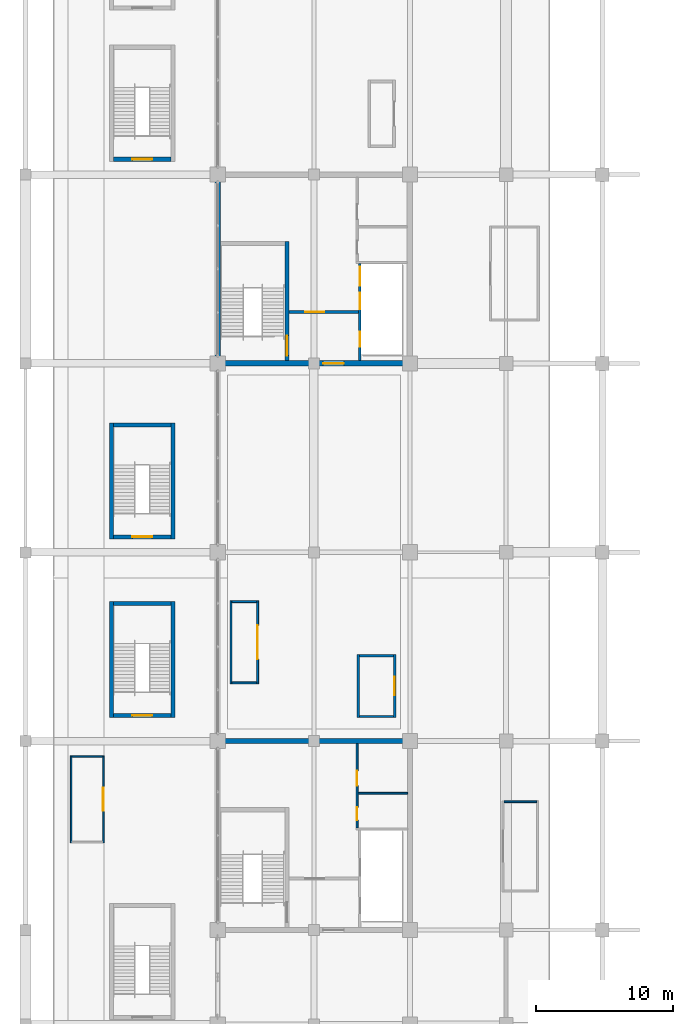
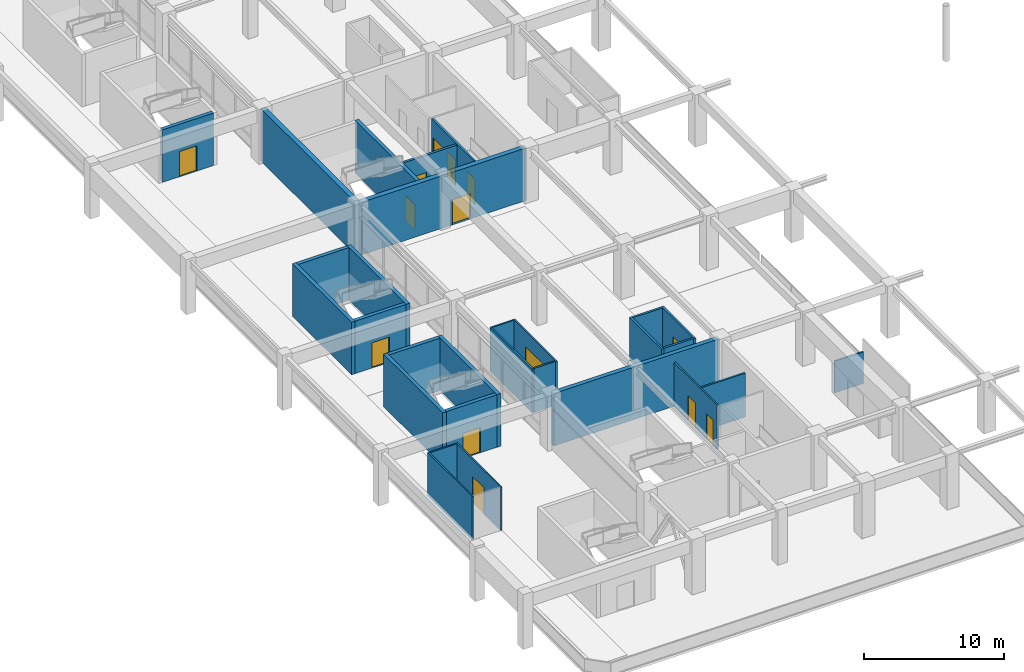
# One storey, part 66 of 91: 29 walls, 14 doors, 14 openings.
"""IFC4 building model written with IfcOpenShell, lengths in metres."""

from ifc_helpers import new_model, si_unit, direction, frame, frame_2d, origin, place, context, subcontext, project, spatial, rectangle, extrude, material, layer, layer_set, type_object, element, fill, save


model = new_model("IFC4")

# Units and contexts
model_context = context("Model", 3, precision=1e-05, world=origin(), true_north=direction((0.0, 1.0)))
body_context = subcontext(model_context, "Body", "Model", "MODEL_VIEW")
ifc_project = project(units=[si_unit("LENGTHUNIT", "METRE"), si_unit("AREAUNIT", "SQUARE_METRE"), si_unit("VOLUMEUNIT", "CUBIC_METRE"), si_unit("PLANEANGLEUNIT", "RADIAN"), si_unit("MASSUNIT", "GRAM", prefix="KILO")], contexts=[model_context])

# Site, building, storey
site_placement = place(None, origin())
site = spatial("IfcSite", under=ifc_project, at=site_placement, CompositionType="ELEMENT")
building_placement = place(site_placement, origin())
building = spatial("IfcBuilding", under=site, at=building_placement, Name="Linyun Crest Stadium", CompositionType="ELEMENT")
storey_placement = place(building_placement, frame((0.0, 0.0, 11.39990234375)))
storey = spatial("IfcBuildingStorey", under=building, at=storey_placement, Name="L03", CompositionType="ELEMENT", Elevation=11.39990234375)

# Walls
ifc_material_1 = material(Name="Concrete C50", Category="concrete")
ifc_layer_1 = layer(ifc_material_1, 0.35009765625)
ifc_layer_set_1 = layer_set([ifc_layer_1], Name="Concrete C50")
wall_type_1 = type_object("IfcWallType", Name="CW01", PredefinedType="SHEAR", material=ifc_layer_set_1)
wall_1_placement = place(storey_placement, frame((-83.824951171875, -25.375, 0.0), z_axis=(0.0, 0.0, 1.0), x_axis=(1.0, 0.0, 0.0)))
element("IfcWall", 1, at=wall_1_placement, inside=storey, type_object=wall_type_1, Name="Core shear wall CW01 CORE-W1 L03.4", PredefinedType="SHEAR", context=body_context, shape_type="SweptSolid", body=[
    extrude(rectangle(XDim=13.64990234375, YDim=0.35009765625, at=frame_2d((6.824951171875, 0.0))), origin(), (0.0, 0.0, 1.0), 4.580078125),
])
ifc_material_2 = material(Name="Concrete C50", Category="concrete")
ifc_layer_2 = layer(ifc_material_2, 0.39990234375)
ifc_layer_set_2 = layer_set([ifc_layer_2], Name="Concrete C50")
wall_type_2 = type_object("IfcWallType", Name="CW02", PredefinedType="SHEAR", material=ifc_layer_set_2)
wall_2_placement = place(storey_placement, frame((-84.0, 2.324951171875, 0.0), z_axis=(0.0, 0.0, 1.0), x_axis=(0.0, 1.0, 0.0)))
element("IfcWall", 2, at=wall_2_placement, inside=storey, type_object=wall_type_2, Name="Core shear wall CW02 CORE-W2 L03.1", PredefinedType="SHEAR", context=body_context, shape_type="SweptSolid", body=[
    extrude(rectangle(XDim=13.35009765625, YDim=0.39990234375, at=frame_2d((6.675048828125, 0.0))), origin(), (0.0, 0.0, 1.0), 4.580078125),
])

# Wall, opening, door
wall_3_placement = place(storey_placement, frame((-83.800048828125, 2.125, 0.0), z_axis=(0.0, 0.0, 1.0), x_axis=(1.0, 0.0, 0.0)))
wall_3 = element("IfcWall", 3, at=wall_3_placement, inside=storey, type_object=wall_type_2, Name="Core shear wall CW02 CORE-W2 L03.3", PredefinedType="SHEAR", context=body_context, shape_type="SweptSolid", body=[
    extrude(rectangle(XDim=13.60009765625, YDim=0.39990234375, at=frame_2d((6.800048828125, 0.0))), origin(), (0.0, 0.0, 1.0), 4.580078125),
])
opening_1_placement = place(wall_3_placement, frame((7.47998046875, 0.0, 0.0)))
opening_1 = element("IfcOpeningElement", 4, at=opening_1_placement, cuts=wall_3, Name="Opening D-L03-074", PredefinedType="OPENING", context=body_context, shape_type="SweptSolid", body=[
    extrude(rectangle(XDim=1.5, YDim=2.199951171875, at=frame_2d((0.75, 1.10009765625))), frame((0.0, 0.2099609375, 0.0), z_axis=(0.0, -1.0, 0.0), x_axis=(1.0, 0.0, 0.0)), (0.0, 0.0, 1.0), 0.419921875),
])
ifc_material_3 = material(Name="Galvanized steel Class A fire door", Category="steel")
ifc_layer_3 = layer(ifc_material_3, 0.054931640625)
ifc_layer_set_3 = layer_set([ifc_layer_3], Name="Galvanized steel Class A fire door")
door_type_1 = type_object("IfcDoorType", Name="FD01", OperationType="NOTDEFINED", PredefinedType="DOOR", material=ifc_layer_set_3)
door_1_placement = place(opening_1_placement, origin())
door_1 = element("IfcDoor", 5, at=door_1_placement, inside=storey, type_object=door_type_1, Name="Door D-L03-074", OperationType="SINGLE_SWING_RIGHT", OverallHeight=2.199951171875, OverallWidth=1.5, PredefinedType="DOOR", context=body_context, shape_type="SweptSolid", body=[
    extrude(rectangle(XDim=1.5, YDim=2.199951171875, at=frame_2d((0.75, 1.10009765625))), frame((0.0, 0.02490234375, 0.0), z_axis=(0.0, -1.0, 0.0), x_axis=(1.0, 0.0, 0.0)), (0.0, 0.0, 1.0), 0.050048828125),
])
fill(opening_1, door_1)

ifc_material_4 = material(Name="Autoclaved aerated concrete block with fireboard", Category="concrete")
ifc_layer_4 = layer(ifc_material_4, 0.199951171875)
ifc_layer_set_4 = layer_set([ifc_layer_4], Name="Autoclaved aerated concrete block with fireboard")
wall_type_3 = type_object("IfcWallType", Name="PW11", PredefinedType="PARTITIONING", material=ifc_layer_set_4)
wall_4_placement = place(storey_placement, frame((-78.800048828125, 5.875, 0.0), z_axis=(0.0, 0.0, 1.0), x_axis=(1.0, 0.0, 0.0)))
wall_4 = element("IfcWall", 6, at=wall_4_placement, inside=storey, type_object=wall_type_3, Name="Partition PW11 L03 31", PredefinedType="PARTITIONING", context=body_context, shape_type="SweptSolid", body=[
    extrude(rectangle(XDim=5.06005859375, YDim=0.199951171875, at=frame_2d((2.530029296875, 0.0))), origin(), (0.0, 0.0, 1.0), 3.705078125),
])
opening_2_placement = place(wall_4_placement, frame((1.169921875, 0.0, 0.0)))
opening_2 = element("IfcOpeningElement", 7, at=opening_2_placement, cuts=wall_4, Name="Opening D-L03-076", PredefinedType="OPENING", context=body_context, shape_type="SweptSolid", body=[
    extrude(rectangle(XDim=1.39990234375, YDim=2.199951171875, at=frame_2d((0.699951171875, 1.10009765625))), frame((0.0, 0.10986328125, 0.0), z_axis=(0.0, -1.0, 0.0), x_axis=(1.0, 0.0, 0.0)), (0.0, 0.0, 1.0), 0.219970703125),
])
ifc_material_5 = material(Name="Galvanized steel Class B fire door", Category="steel")
ifc_layer_5 = layer(ifc_material_5, 0.054931640625)
ifc_layer_set_5 = layer_set([ifc_layer_5], Name="Galvanized steel Class B fire door")
door_type_2 = type_object("IfcDoorType", Name="FD03", OperationType="NOTDEFINED", PredefinedType="DOOR", material=ifc_layer_set_5)
door_2_placement = place(opening_2_placement, origin())
door_2 = element("IfcDoor", 8, at=door_2_placement, inside=storey, type_object=door_type_2, Name="Door D-L03-076", OperationType="SINGLE_SWING_RIGHT", OverallHeight=2.199951171875, OverallWidth=1.39990234375, PredefinedType="DOOR", context=body_context, shape_type="SweptSolid", body=[
    extrude(rectangle(XDim=1.39990234375, YDim=2.199951171875, at=frame_2d((0.699951171875, 1.10009765625))), frame((0.0, 0.02490234375, 0.0), z_axis=(0.0, -1.0, 0.0), x_axis=(1.0, 0.0, 0.0)), (0.0, 0.0, 1.0), 0.050048828125),
])
fill(opening_2, door_2)

# Wall, openings, doors
ifc_material_6 = material(Name="Autoclaved aerated concrete block fire partition", Category="concrete")
ifc_layer_6 = layer(ifc_material_6, 0.179931640625)
ifc_layer_set_6 = layer_set([ifc_layer_6], Name="Autoclaved aerated concrete block fire partition")
wall_type_4 = type_object("IfcWallType", Name="PW12", PredefinedType="PARTITIONING", material=ifc_layer_set_6)
wall_5_placement = place(storey_placement, frame((-73.64990234375, 2.324951171875, 0.0), z_axis=(0.0, 0.0, 1.0), x_axis=(0.0, 1.0, 0.0)))
wall_5 = element("IfcWall", 9, at=wall_5_placement, inside=storey, type_object=wall_type_4, Name="Partition PW12 L03 32", PredefinedType="PARTITIONING", context=body_context, shape_type="SweptSolid", body=[
    extrude(rectangle(XDim=7.080078125, YDim=0.179931640625, at=frame_2d((3.5400390625, 0.0))), origin(), (0.0, 0.0, 1.0), 3.820068359375),
])
opening_3_placement = place(wall_5_placement, frame((1.0, 0.0, 0.0)))
opening_3 = element("IfcOpeningElement", 10, at=opening_3_placement, cuts=wall_5, Name="Opening LD024", PredefinedType="OPENING", context=body_context, shape_type="SweptSolid", body=[
    extrude(rectangle(XDim=1.10009765625, YDim=2.199951171875, at=frame_2d((0.550048828125, 1.10009765625))), frame((0.0, 0.099853515625, 0.0), z_axis=(0.0, -1.0, 0.0), x_axis=(1.0, 0.0, 0.0)), (0.0, 0.0, 1.0), 0.199951171875),
])
opening_4_placement = place(wall_5_placement, frame((3.75, 0.0, 0.0)))
opening_4 = element("IfcOpeningElement", 11, at=opening_4_placement, cuts=wall_5, Name="Opening LD025", PredefinedType="OPENING", context=body_context, shape_type="SweptSolid", body=[
    extrude(rectangle(XDim=1.199951171875, YDim=2.25, at=frame_2d((0.60009765625, 1.125))), frame((0.0, 0.099853515625, 0.0), z_axis=(0.0, -1.0, 0.0), x_axis=(1.0, 0.0, 0.0)), (0.0, 0.0, 1.0), 0.199951171875),
])
opening_5_placement = place(wall_5_placement, frame((5.449951171875, 0.0, 0.0)))
opening_5 = element("IfcOpeningElement", 12, at=opening_5_placement, cuts=wall_5, Name="Opening LD026", PredefinedType="OPENING", context=body_context, shape_type="SweptSolid", body=[
    extrude(rectangle(XDim=1.39990234375, YDim=2.300048828125, at=frame_2d((0.699951171875, 1.14990234375))), frame((0.0, 0.099853515625, 0.0), z_axis=(0.0, -1.0, 0.0), x_axis=(1.0, 0.0, 0.0)), (0.0, 0.0, 1.0), 0.199951171875),
])
ifc_material_7 = material(Name="Brushed stainless sliding lift door")
ifc_layer_7 = layer(ifc_material_7, 0.050048828125)
ifc_layer_set_7 = layer_set([ifc_layer_7], Name="Brushed stainless sliding lift door")
door_type_3 = type_object("IfcDoorType", Name="LD01", OperationType="NOTDEFINED", PredefinedType="DOOR", material=ifc_layer_set_7)
door_3_placement = place(opening_3_placement, origin())
door_3 = element("IfcDoor", 13, at=door_3_placement, inside=storey, type_object=door_type_3, Name="Lift landing door LD024", OperationType="DOUBLE_DOOR_SLIDING", OverallHeight=2.199951171875, OverallWidth=1.10009765625, PredefinedType="DOOR", context=body_context, shape_type="SweptSolid", body=[
    extrude(rectangle(XDim=1.10009765625, YDim=2.199951171875, at=frame_2d((0.550048828125, 1.10009765625))), frame((0.0, 0.02490234375, 0.0), z_axis=(0.0, -1.0, 0.0), x_axis=(1.0, 0.0, 0.0)), (0.0, 0.0, 1.0), 0.050048828125),
])
fill(opening_3, door_3)
ifc_material_8 = material(Name="Brushed stainless sliding lift door")
ifc_layer_8 = layer(ifc_material_8, 0.050048828125)
ifc_layer_set_8 = layer_set([ifc_layer_8], Name="Brushed stainless sliding lift door")
door_type_4 = type_object("IfcDoorType", Name="LD02", OperationType="NOTDEFINED", PredefinedType="DOOR", material=ifc_layer_set_8)
door_4_placement = place(opening_4_placement, origin())
door_4 = element("IfcDoor", 14, at=door_4_placement, inside=storey, type_object=door_type_4, Name="Lift landing door LD025", OperationType="DOUBLE_DOOR_SLIDING", OverallHeight=2.25, OverallWidth=1.199951171875, PredefinedType="DOOR", context=body_context, shape_type="SweptSolid", body=[
    extrude(rectangle(XDim=1.199951171875, YDim=2.25, at=frame_2d((0.60009765625, 1.125))), frame((0.0, 0.02490234375, 0.0), z_axis=(0.0, -1.0, 0.0), x_axis=(1.0, 0.0, 0.0)), (0.0, 0.0, 1.0), 0.050048828125),
])
fill(opening_4, door_4)
ifc_material_9 = material(Name="Heavy-duty stainless sliding door")
ifc_layer_9 = layer(ifc_material_9, 0.054931640625)
ifc_layer_set_9 = layer_set([ifc_layer_9], Name="Heavy-duty stainless sliding door")
door_type_5 = type_object("IfcDoorType", Name="LD03", OperationType="NOTDEFINED", PredefinedType="DOOR", material=ifc_layer_set_9)
door_5_placement = place(opening_5_placement, origin())
door_5 = element("IfcDoor", 15, at=door_5_placement, inside=storey, type_object=door_type_5, Name="Lift landing door LD026", OperationType="DOUBLE_DOOR_SLIDING", OverallHeight=2.300048828125, OverallWidth=1.39990234375, PredefinedType="DOOR", context=body_context, shape_type="SweptSolid", body=[
    extrude(rectangle(XDim=1.39990234375, YDim=2.300048828125, at=frame_2d((0.699951171875, 1.14990234375))), frame((0.0, 0.02490234375, 0.0), z_axis=(0.0, -1.0, 0.0), x_axis=(1.0, 0.0, 0.0)), (0.0, 0.0, 1.0), 0.050048828125),
])
fill(opening_5, door_5)

ifc_material_10 = material(Name="Moisture-resistant ceramic-tiled wet-room wall")
ifc_layer_10 = layer(ifc_material_10, 0.139892578125)
ifc_layer_set_10 = layer_set([ifc_layer_10], Name="Moisture-resistant ceramic-tiled wet-room wall")
wall_type_5 = type_object("IfcWallType", Name="PW15", PredefinedType="PARTITIONING", material=ifc_layer_set_10)
wall_6_placement = place(storey_placement, frame((-73.85009765625, -31.705078125, 0.0), z_axis=(0.0, 0.0, 1.0), x_axis=(0.0, 1.0, 0.0)))
wall_6 = element("IfcWall", 16, at=wall_6_placement, inside=storey, type_object=wall_type_5, Name="Partition PW15 L03 12", PredefinedType="PARTITIONING", context=body_context, shape_type="SweptSolid", body=[
    extrude(rectangle(XDim=6.155029296875, YDim=0.139892578125, at=frame_2d((3.07763671875, 0.0))), origin(), (0.0, 0.0, 1.0), 3.820068359375),
])
opening_6_placement = place(wall_6_placement, frame((0.580078125, 0.0, 0.0)))
opening_6 = element("IfcOpeningElement", 17, at=opening_6_placement, cuts=wall_6, Name="Opening D-L03-027", PredefinedType="OPENING", context=body_context, shape_type="SweptSolid", body=[
    extrude(rectangle(XDim=0.949951171875, YDim=2.14990234375, at=frame_2d((0.47509765625, 1.074951171875))), frame((0.0, 0.079833984375, 0.0), z_axis=(0.0, -1.0, 0.0), x_axis=(1.0, 0.0, 0.0)), (0.0, 0.0, 1.0), 0.159912109375),
])
opening_7_placement = place(wall_6_placement, frame((3.080078125, 0.0, 0.0)))
opening_7 = element("IfcOpeningElement", 18, at=opening_7_placement, cuts=wall_6, Name="Opening D-L03-028", PredefinedType="OPENING", context=body_context, shape_type="SweptSolid", body=[
    extrude(rectangle(XDim=1.10009765625, YDim=2.14990234375, at=frame_2d((0.550048828125, 1.074951171875))), frame((0.0, 0.079833984375, 0.0), z_axis=(0.0, -1.0, 0.0), x_axis=(1.0, 0.0, 0.0)), (0.0, 0.0, 1.0), 0.159912109375),
])
ifc_material_11 = material(Name="Moisture-resistant laminate leaf")
ifc_layer_11 = layer(ifc_material_11, 0.044921875)
ifc_layer_set_11 = layer_set([ifc_layer_11], Name="Moisture-resistant laminate leaf")
door_type_6 = type_object("IfcDoorType", Name="ID02", OperationType="NOTDEFINED", PredefinedType="DOOR", material=ifc_layer_set_11)
door_6_placement = place(opening_6_placement, origin())
door_6 = element("IfcDoor", 19, at=door_6_placement, inside=storey, type_object=door_type_6, Name="Door D-L03-027", OperationType="SINGLE_SWING_LEFT", OverallHeight=2.14990234375, OverallWidth=0.949951171875, PredefinedType="DOOR", context=body_context, shape_type="SweptSolid", body=[
    extrude(rectangle(XDim=0.949951171875, YDim=2.14990234375, at=frame_2d((0.47509765625, 1.074951171875))), frame((0.0, 0.02490234375, 0.0), z_axis=(0.0, -1.0, 0.0), x_axis=(1.0, 0.0, 0.0)), (0.0, 0.0, 1.0), 0.050048828125),
])
fill(opening_6, door_6)
ifc_material_12 = material(Name="Moisture-resistant laminate leaf")
ifc_layer_12 = layer(ifc_material_12, 0.044921875)
ifc_layer_set_12 = layer_set([ifc_layer_12], Name="Moisture-resistant laminate leaf")
door_type_7 = type_object("IfcDoorType", Name="ID03", OperationType="NOTDEFINED", PredefinedType="DOOR", material=ifc_layer_set_12)
door_7_placement = place(opening_7_placement, origin())
door_7 = element("IfcDoor", 20, at=door_7_placement, inside=storey, type_object=door_type_7, Name="Door D-L03-028", OperationType="SINGLE_SWING_RIGHT", OverallHeight=2.14990234375, OverallWidth=1.10009765625, PredefinedType="DOOR", context=body_context, shape_type="SweptSolid", body=[
    extrude(rectangle(XDim=1.10009765625, YDim=2.14990234375, at=frame_2d((0.550048828125, 1.074951171875))), frame((0.0, 0.02490234375, 0.0), z_axis=(0.0, -1.0, 0.0), x_axis=(1.0, 0.0, 0.0)), (0.0, 0.0, 1.0), 0.050048828125),
])
fill(opening_7, door_7)

# Wall
wall_7_placement = place(storey_placement, frame((-73.780029296875, -29.175048828125, 0.0), z_axis=(0.0, 0.0, 1.0), x_axis=(1.0, 0.0, 0.0)))
element("IfcWall", 21, at=wall_7_placement, inside=storey, type_object=wall_type_5, Name="Enclosure partition PW15 L03 8", PredefinedType="PARTITIONING", context=body_context, shape_type="SweptSolid", body=[
    extrude(rectangle(XDim=3.60498046875, YDim=0.139892578125, at=frame_2d((1.802490234375, 0.0))), origin(), (0.0, 0.0, 1.0), 3.820068359375),
])

# Wall, opening, door
ifc_material_13 = material(Name="Impact-resistant community sports hall lining")
ifc_layer_13 = layer(ifc_material_13, 0.135009765625)
ifc_layer_set_13 = layer_set([ifc_layer_13], Name="Impact-resistant community sports hall lining")
wall_type_6 = type_object("IfcWallType", Name="PW19", PredefinedType="PARTITIONING", material=ifc_layer_set_13)
wall_8_placement = place(storey_placement, frame((-81.09912109375, -15.152099609375, 0.0), z_axis=(0.0, 0.0, 1.0), x_axis=(0.0, -1.0, 0.0)))
wall_8 = element("IfcWall", 22, at=wall_8_placement, inside=storey, type_object=wall_type_6, Name="Partition PW19 L03 256", PredefinedType="PARTITIONING", context=body_context, shape_type="SweptSolid", body=[
    extrude(rectangle(XDim=6.0498046875, YDim=0.135009765625, at=frame_2d((3.02490234375, 0.0))), origin(), (0.0, 0.0, 1.0), 3.820068359375),
])
opening_8_placement = place(wall_8_placement, frame((1.77490234375, 0.0, 0.0)))
opening_8 = element("IfcOpeningElement", 23, at=opening_8_placement, cuts=wall_8, Name="Opening D-L03-519", PredefinedType="OPENING", context=body_context, shape_type="SweptSolid", body=[
    extrude(rectangle(XDim=2.5, YDim=2.5, at=frame_2d((1.25, 1.25))), frame((0.0, 0.077392578125, 0.0), z_axis=(0.0, -1.0, 0.0), x_axis=(1.0, 0.0, 0.0)), (0.0, 0.0, 1.0), 0.155029296875),
])
ifc_material_14 = material(Name="Verdigris framed glazed concourse door")
ifc_layer_14 = layer(ifc_material_14, 0.054931640625)
ifc_layer_set_14 = layer_set([ifc_layer_14], Name="Verdigris framed glazed concourse door")
door_type_8 = type_object("IfcDoorType", Name="ID16", OperationType="NOTDEFINED", PredefinedType="DOOR", material=ifc_layer_set_14)
door_8_placement = place(opening_8_placement, origin())
door_8 = element("IfcDoor", 24, at=door_8_placement, inside=storey, type_object=door_type_8, Name="Door D-L03-519", OperationType="DOUBLE_DOOR_SINGLE_SWING", OverallHeight=2.5, OverallWidth=2.5, PredefinedType="DOOR", context=body_context, shape_type="SweptSolid", body=[
    extrude(rectangle(XDim=2.5, YDim=2.5, at=frame_2d((1.25, 1.25))), frame((0.0, 0.02490234375, 0.0), z_axis=(0.0, -1.0, 0.0), x_axis=(1.0, 0.0, 0.0)), (0.0, 0.0, 1.0), 0.050048828125),
])
fill(opening_8, door_8)

# Walls
wall_9_placement = place(storey_placement, frame((-83.0390625, -21.201904296875, 0.0), z_axis=(0.0, 0.0, 1.0), x_axis=(0.0, 1.0, 0.0)))
element("IfcWall", 25, at=wall_9_placement, inside=storey, type_object=wall_type_6, Name="Enclosure partition PW19 L03 484", PredefinedType="PARTITIONING", context=body_context, shape_type="SweptSolid", body=[
    extrude(rectangle(XDim=6.0498046875, YDim=0.135009765625, at=frame_2d((3.02490234375, 0.0))), origin(), (0.0, 0.0, 1.0), 3.820068359375),
])
for number, where, z_axis, x_axis, name in (
    (26, (-82.970947265625, -21.134033203125, 0.0), (0.0, 0.0, 1.0), (1.0, 0.0, 0.0), "Enclosure partition PW19 L03 485"),
    (27, (-82.970947265625, -15.219970703125, 0.0), (0.0, 0.0, 1.0), (1.0, 0.0, 0.0), "Enclosure partition PW19 L03 486"),
):
    element("IfcWall", number, at=place(storey_placement, frame(where, z_axis=z_axis, x_axis=x_axis)), inside=storey, type_object=wall_type_6, Name=name, PredefinedType="PARTITIONING", context=body_context, shape_type="SweptSolid", body=[
        extrude(rectangle(XDim=1.803955078125, YDim=0.135009765625, at=frame_2d((0.90185546875, 0.0))), origin(), (0.0, 0.0, 1.0), 3.820068359375),
    ])

# Wall, opening, door
ifc_material_15 = material(Name="Glazed hospitality salon screen partition")
ifc_layer_15 = layer(ifc_material_15, 0.114990234375)
ifc_layer_set_15 = layer_set([ifc_layer_15], Name="Glazed hospitality salon screen partition")
wall_type_7 = type_object("IfcWallType", Name="PW21", PredefinedType="PARTITIONING", material=ifc_layer_set_15)
wall_10_placement = place(storey_placement, frame((-92.3330078125, -26.445068359375, 0.0), z_axis=(0.0, 0.0, 1.0), x_axis=(0.0, -1.0, 0.0)))
wall_10 = element("IfcWall", 28, at=wall_10_placement, inside=storey, type_object=wall_type_7, Name="Partition PW21 L03 201", PredefinedType="PARTITIONING", context=body_context, shape_type="SweptSolid", body=[
    extrude(rectangle(XDim=6.33984375, YDim=0.114990234375, at=frame_2d((3.169921875, 0.0))), origin(), (0.0, 0.0, 1.0), 3.820068359375),
])
opening_9_placement = place(wall_10_placement, frame((2.344970703125, 0.0, 0.0)))
opening_9 = element("IfcOpeningElement", 29, at=opening_9_placement, cuts=wall_10, Name="Opening D-L03-464", PredefinedType="OPENING", context=body_context, shape_type="SweptSolid", body=[
    extrude(rectangle(XDim=1.64990234375, YDim=2.300048828125, at=frame_2d((0.824951171875, 1.14990234375))), frame((0.0, 0.0673828125, 0.0), z_axis=(0.0, -1.0, 0.0), x_axis=(1.0, 0.0, 0.0)), (0.0, 0.0, 1.0), 0.135009765625),
])
ifc_material_16 = material(Name="Double-leaf acoustic timber door", Category="wood")
ifc_layer_16 = layer(ifc_material_16, 0.050048828125)
ifc_layer_set_16 = layer_set([ifc_layer_16], Name="Double-leaf acoustic timber door")
door_type_9 = type_object("IfcDoorType", Name="ID09", OperationType="NOTDEFINED", PredefinedType="DOOR", material=ifc_layer_set_16)
door_9_placement = place(opening_9_placement, origin())
door_9 = element("IfcDoor", 30, at=door_9_placement, inside=storey, type_object=door_type_9, Name="Door D-L03-464", OperationType="SINGLE_SWING_RIGHT", OverallHeight=2.300048828125, OverallWidth=1.64990234375, PredefinedType="DOOR", context=body_context, shape_type="SweptSolid", body=[
    extrude(rectangle(XDim=1.64990234375, YDim=2.300048828125, at=frame_2d((0.824951171875, 1.14990234375))), frame((0.0, 0.02490234375, 0.0), z_axis=(0.0, -1.0, 0.0), x_axis=(1.0, 0.0, 0.0)), (0.0, 0.0, 1.0), 0.050048828125),
])
fill(opening_9, door_9)

# Walls
wall_11_placement = place(storey_placement, frame((-94.68310546875, -32.784912109375, 0.0), z_axis=(0.0, 0.0, 1.0), x_axis=(0.0, 1.0, 0.0)))
element("IfcWall", 31, at=wall_11_placement, inside=storey, type_object=wall_type_7, Name="Enclosure partition PW21 L03 319", PredefinedType="PARTITIONING", context=body_context, shape_type="SweptSolid", body=[
    extrude(rectangle(XDim=6.33984375, YDim=0.114990234375, at=frame_2d((3.169921875, 0.0))), origin(), (0.0, 0.0, 1.0), 3.820068359375),
])
wall_12_placement = place(storey_placement, frame((-94.625, -26.5029296875, 0.0), z_axis=(0.0, 0.0, 1.0), x_axis=(1.0, 0.0, 0.0)))
element("IfcWall", 32, at=wall_12_placement, inside=storey, type_object=wall_type_7, Name="Enclosure partition PW21 L03 321", PredefinedType="PARTITIONING", context=body_context, shape_type="SweptSolid", body=[
    extrude(rectangle(XDim=2.23388671875, YDim=0.114990234375, at=frame_2d((1.116943359375, 0.0))), origin(), (0.0, 0.0, 1.0), 3.820068359375),
])
ifc_material_17 = material(Name="Acoustic commentary booth partition")
ifc_layer_17 = layer(ifc_material_17, 0.1298828125)
ifc_layer_set_17 = layer_set([ifc_layer_17], Name="Acoustic commentary booth partition")
wall_type_8 = type_object("IfcWallType", Name="PW22", PredefinedType="PARTITIONING", material=ifc_layer_set_17)
wall_13_placement = place(storey_placement, frame((-63.152099609375, -29.784912109375, 0.0), z_axis=(0.0, 0.0, 1.0), x_axis=(1.0, 0.0, 0.0)))
element("IfcWall", 33, at=wall_13_placement, inside=storey, type_object=wall_type_8, Name="Enclosure partition PW22 L03 324", PredefinedType="PARTITIONING", context=body_context, shape_type="SweptSolid", body=[
    extrude(rectangle(XDim=2.3701171875, YDim=0.1298828125, at=frame_2d((1.18505859375, 0.0))), origin(), (0.0, 0.0, 1.0), 2.755126953125),
])

# Wall, opening, door
ifc_material_18 = material(Name="Concourse concession fire-rated masonry wall", Category="masonry")
ifc_layer_18 = layer(ifc_material_18, 0.175048828125)
ifc_layer_set_18 = layer_set([ifc_layer_18], Name="Concourse concession fire-rated masonry wall")
wall_type_9 = type_object("IfcWallType", Name="PW24", PredefinedType="PARTITIONING", material=ifc_layer_set_18)
wall_14_placement = place(storey_placement, frame((-71.1201171875, -19.072998046875, 0.0), z_axis=(0.0, 0.0, 1.0), x_axis=(0.0, -1.0, 0.0)))
wall_14 = element("IfcWall", 34, at=wall_14_placement, inside=storey, type_object=wall_type_9, Name="Partition PW24 L03 204", PredefinedType="PARTITIONING", context=body_context, shape_type="SweptSolid", body=[
    extrude(rectangle(XDim=4.60009765625, YDim=0.175048828125, at=frame_2d((2.300048828125, 0.0))), origin(), (0.0, 0.0, 1.0), 3.820068359375),
])
opening_10_placement = place(wall_14_placement, frame((1.625, 0.0, 0.0)))
opening_10 = element("IfcOpeningElement", 35, at=opening_10_placement, cuts=wall_14, Name="Opening D-L03-467", PredefinedType="OPENING", context=body_context, shape_type="SweptSolid", body=[
    extrude(rectangle(XDim=1.35009765625, YDim=2.199951171875, at=frame_2d((0.675048828125, 1.10009765625))), frame((0.0, 0.097412109375, 0.0), z_axis=(0.0, -1.0, 0.0), x_axis=(1.0, 0.0, 0.0)), (0.0, 0.0, 1.0), 0.195068359375),
])
ifc_material_19 = material(Name="Wide hospital-grade hygienic door")
ifc_layer_19 = layer(ifc_material_19, 0.050048828125)
ifc_layer_set_19 = layer_set([ifc_layer_19], Name="Wide hospital-grade hygienic door")
door_type_10 = type_object("IfcDoorType", Name="ID12", OperationType="NOTDEFINED", PredefinedType="DOOR", material=ifc_layer_set_19)
door_10_placement = place(opening_10_placement, origin())
door_10 = element("IfcDoor", 36, at=door_10_placement, inside=storey, type_object=door_type_10, Name="Door D-L03-467", OperationType="SINGLE_SWING_LEFT", OverallHeight=2.199951171875, OverallWidth=1.35009765625, PredefinedType="DOOR", context=body_context, shape_type="SweptSolid", body=[
    extrude(rectangle(XDim=1.35009765625, YDim=2.199951171875, at=frame_2d((0.675048828125, 1.10009765625))), frame((0.0, 0.02490234375, 0.0), z_axis=(0.0, -1.0, 0.0), x_axis=(1.0, 0.0, 0.0)), (0.0, 0.0, 1.0), 0.050048828125),
])
fill(opening_10, door_10)

# Walls
wall_15_placement = place(storey_placement, frame((-73.760009765625, -23.673095703125, 0.0), z_axis=(0.0, 0.0, 1.0), x_axis=(0.0, 1.0, 0.0)))
element("IfcWall", 37, at=wall_15_placement, inside=storey, type_object=wall_type_9, Name="Enclosure partition PW24 L03 328", PredefinedType="PARTITIONING", context=body_context, shape_type="SweptSolid", body=[
    extrude(rectangle(XDim=4.60009765625, YDim=0.175048828125, at=frame_2d((2.300048828125, 0.0))), origin(), (0.0, 0.0, 1.0), 3.820068359375),
])
for number, where, z_axis, x_axis, name in (
    (38, (-73.672119140625, -23.5849609375, 0.0), (0.0, 0.0, 1.0), (1.0, 0.0, 0.0), "Enclosure partition PW24 L03 329"),
    (39, (-73.672119140625, -19.160888671875, 0.0), (0.0, 0.0, 1.0), (1.0, 0.0, 0.0), "Enclosure partition PW24 L03 330"),
):
    element("IfcWall", number, at=place(storey_placement, frame(where, z_axis=z_axis, x_axis=x_axis)), inside=storey, type_object=wall_type_9, Name=name, PredefinedType="PARTITIONING", context=body_context, shape_type="SweptSolid", body=[
        extrude(rectangle(XDim=2.464111328125, YDim=0.175048828125, at=frame_2d((1.23193359375, 0.0))), origin(), (0.0, 0.0, 1.0), 3.820068359375),
    ])

# Wall, opening, door
ifc_material_20 = material(Name="Concrete C50", Category="concrete")
ifc_layer_20 = layer(ifc_material_20, 0.300048828125)
ifc_layer_set_20 = layer_set([ifc_layer_20], Name="Concrete C50")
wall_type_10 = type_object("IfcWallType", Name="SW01", PredefinedType="SHEAR", material=ifc_layer_set_20)
wall_16_placement = place(storey_placement, frame((-78.949951171875, 2.324951171875, 0.0), z_axis=(0.0, 0.0, 1.0), x_axis=(0.0, 1.0, 0.0)))
wall_16 = element("IfcWall", 40, at=wall_16_placement, inside=storey, type_object=wall_type_10, Name="Core stair east bearing wall SW01 2 L03", PredefinedType="SHEAR", context=body_context, shape_type="SweptSolid", body=[
    extrude(rectangle(XDim=8.699951171875, YDim=0.300048828125, at=frame_2d((4.35009765625, 0.0))), origin(), (0.0, 0.0, 1.0), 4.580078125),
])
opening_11_placement = place(wall_16_placement, frame((0.3701171875, 0.0, 0.0)))
opening_11 = element("IfcOpeningElement", 41, at=opening_11_placement, cuts=wall_16, Name="Opening D-L03-075", PredefinedType="OPENING", context=body_context, shape_type="SweptSolid", body=[
    extrude(rectangle(XDim=1.449951171875, YDim=2.199951171875, at=frame_2d((0.72509765625, 1.10009765625))), frame((0.0, 0.159912109375, 0.0), z_axis=(0.0, -1.0, 0.0), x_axis=(1.0, 0.0, 0.0)), (0.0, 0.0, 1.0), 0.320068359375),
])
ifc_material_21 = material(Name="Galvanized steel Class A fire door", Category="steel")
ifc_layer_21 = layer(ifc_material_21, 0.054931640625)
ifc_layer_set_21 = layer_set([ifc_layer_21], Name="Galvanized steel Class A fire door")
door_type_11 = type_object("IfcDoorType", Name="FD02", OperationType="NOTDEFINED", PredefinedType="DOOR", material=ifc_layer_set_21)
door_11_placement = place(opening_11_placement, origin())
door_11 = element("IfcDoor", 42, at=door_11_placement, inside=storey, type_object=door_type_11, Name="Door D-L03-075", OperationType="SINGLE_SWING_LEFT", OverallHeight=2.199951171875, OverallWidth=1.449951171875, PredefinedType="DOOR", context=body_context, shape_type="SweptSolid", body=[
    extrude(rectangle(XDim=1.449951171875, YDim=2.199951171875, at=frame_2d((0.72509765625, 1.10009765625))), frame((0.0, 0.02490234375, 0.0), z_axis=(0.0, -1.0, 0.0), x_axis=(1.0, 0.0, 0.0)), (0.0, 0.0, 1.0), 0.050048828125),
])
fill(opening_11, door_11)

wall_17_placement = place(storey_placement, frame((-91.60009765625, -23.5, 0.0), z_axis=(0.0, 0.0, 1.0), x_axis=(1.0, 0.0, 0.0)))
wall_17 = element("IfcWall", 43, at=wall_17_placement, inside=storey, type_object=wall_type_10, Name="Stair shaft wall SW01 STR-14 L03 S", PredefinedType="SHEAR", context=body_context, shape_type="SweptSolid", body=[
    extrude(rectangle(XDim=4.2001953125, YDim=0.300048828125, at=frame_2d((2.10009765625, 0.0))), origin(), (0.0, 0.0, 1.0), 4.580078125),
])
opening_12_placement = place(wall_17_placement, frame((1.375, 0.0, 0.0)))
opening_12 = element("IfcOpeningElement", 44, at=opening_12_placement, cuts=wall_17, Name="Opening D-L03-548", PredefinedType="OPENING", context=body_context, shape_type="SweptSolid", body=[
    extrude(rectangle(XDim=1.449951171875, YDim=2.199951171875, at=frame_2d((0.72509765625, 1.10009765625))), frame((0.0, 0.159912109375, 0.0), z_axis=(0.0, -1.0, 0.0), x_axis=(1.0, 0.0, 0.0)), (0.0, 0.0, 1.0), 0.320068359375),
])
door_12_placement = place(opening_12_placement, origin())
door_12 = element("IfcDoor", 45, at=door_12_placement, inside=storey, type_object=door_type_11, Name="Door D-L03-548", OperationType="SINGLE_SWING_RIGHT", OverallHeight=2.199951171875, OverallWidth=1.449951171875, PredefinedType="DOOR", context=body_context, shape_type="SweptSolid", body=[
    extrude(rectangle(XDim=1.449951171875, YDim=2.199951171875, at=frame_2d((0.72509765625, 1.10009765625))), frame((0.0, 0.02490234375, 0.0), z_axis=(0.0, -1.0, 0.0), x_axis=(1.0, 0.0, 0.0)), (0.0, 0.0, 1.0), 0.050048828125),
])
fill(opening_12, door_12)

# Walls
wall_18_placement = place(storey_placement, frame((-91.60009765625, -15.35009765625, 0.0), z_axis=(0.0, 0.0, 1.0), x_axis=(1.0, 0.0, 0.0)))
element("IfcWall", 46, at=wall_18_placement, inside=storey, type_object=wall_type_10, Name="Stair shaft wall SW01 STR-14 L03 N", PredefinedType="SHEAR", context=body_context, shape_type="SweptSolid", body=[
    extrude(rectangle(XDim=4.2001953125, YDim=0.300048828125, at=frame_2d((2.10009765625, 0.0))), origin(), (0.0, 0.0, 1.0), 4.580078125),
])
for number, where, z_axis, x_axis, name in (
    (47, (-91.75, -23.64990234375, 0.0), (0.0, 0.0, 1.0), (0.0, 1.0, 0.0), "Stair shaft wall SW01 STR-14 L03 W"),
    (48, (-87.25, -23.64990234375, 0.0), (0.0, 0.0, 1.0), (0.0, 1.0, 0.0), "Stair shaft wall SW01 STR-14 L03 E"),
):
    element("IfcWall", number, at=place(storey_placement, frame(where, z_axis=z_axis, x_axis=x_axis)), inside=storey, type_object=wall_type_10, Name=name, PredefinedType="SHEAR", context=body_context, shape_type="SweptSolid", body=[
        extrude(rectangle(XDim=8.449951171875, YDim=0.300048828125, at=frame_2d((4.22509765625, 0.0))), origin(), (0.0, 0.0, 1.0), 4.580078125),
    ])

# Wall, opening, door
wall_19_placement = place(storey_placement, frame((-91.60009765625, -10.5, 0.0), z_axis=(0.0, 0.0, 1.0), x_axis=(1.0, 0.0, 0.0)))
wall_19 = element("IfcWall", 49, at=wall_19_placement, inside=storey, type_object=wall_type_10, Name="Stair shaft wall SW01 STR-15 L03 S", PredefinedType="SHEAR", context=body_context, shape_type="SweptSolid", body=[
    extrude(rectangle(XDim=4.2001953125, YDim=0.300048828125, at=frame_2d((2.10009765625, 0.0))), origin(), (0.0, 0.0, 1.0), 4.580078125),
])
opening_13_placement = place(wall_19_placement, frame((1.375, 0.0, 0.0)))
opening_13 = element("IfcOpeningElement", 50, at=opening_13_placement, cuts=wall_19, Name="Opening D-L03-554", PredefinedType="OPENING", context=body_context, shape_type="SweptSolid", body=[
    extrude(rectangle(XDim=1.449951171875, YDim=2.199951171875, at=frame_2d((0.72509765625, 1.10009765625))), frame((0.0, 0.159912109375, 0.0), z_axis=(0.0, -1.0, 0.0), x_axis=(1.0, 0.0, 0.0)), (0.0, 0.0, 1.0), 0.320068359375),
])
door_13_placement = place(opening_13_placement, origin())
door_13 = element("IfcDoor", 51, at=door_13_placement, inside=storey, type_object=door_type_11, Name="Door D-L03-554", OperationType="SINGLE_SWING_RIGHT", OverallHeight=2.199951171875, OverallWidth=1.449951171875, PredefinedType="DOOR", context=body_context, shape_type="SweptSolid", body=[
    extrude(rectangle(XDim=1.449951171875, YDim=2.199951171875, at=frame_2d((0.72509765625, 1.10009765625))), frame((0.0, 0.02490234375, 0.0), z_axis=(0.0, -1.0, 0.0), x_axis=(1.0, 0.0, 0.0)), (0.0, 0.0, 1.0), 0.050048828125),
])
fill(opening_13, door_13)

# Walls
wall_20_placement = place(storey_placement, frame((-91.60009765625, -2.35009765625, 0.0), z_axis=(0.0, 0.0, 1.0), x_axis=(1.0, 0.0, 0.0)))
element("IfcWall", 52, at=wall_20_placement, inside=storey, type_object=wall_type_10, Name="Stair shaft wall SW01 STR-15 L03 N", PredefinedType="SHEAR", context=body_context, shape_type="SweptSolid", body=[
    extrude(rectangle(XDim=4.2001953125, YDim=0.300048828125, at=frame_2d((2.10009765625, 0.0))), origin(), (0.0, 0.0, 1.0), 4.580078125),
])
for number, where, z_axis, x_axis, name in (
    (53, (-91.75, -10.64990234375, 0.0), (0.0, 0.0, 1.0), (0.0, 1.0, 0.0), "Stair shaft wall SW01 STR-15 L03 W"),
    (54, (-87.25, -10.64990234375, 0.0), (0.0, 0.0, 1.0), (0.0, 1.0, 0.0), "Stair shaft wall SW01 STR-15 L03 E"),
):
    element("IfcWall", number, at=place(storey_placement, frame(where, z_axis=z_axis, x_axis=x_axis)), inside=storey, type_object=wall_type_10, Name=name, PredefinedType="SHEAR", context=body_context, shape_type="SweptSolid", body=[
        extrude(rectangle(XDim=8.449951171875, YDim=0.300048828125, at=frame_2d((4.22509765625, 0.0))), origin(), (0.0, 0.0, 1.0), 4.580078125),
    ])

# Wall, opening, door
wall_21_placement = place(storey_placement, frame((-91.60009765625, 17.0, 0.0), z_axis=(0.0, 0.0, 1.0), x_axis=(1.0, 0.0, 0.0)))
wall_21 = element("IfcWall", 55, at=wall_21_placement, inside=storey, type_object=wall_type_10, Name="Stair shaft wall SW01 STR-16 L03 S", PredefinedType="SHEAR", context=body_context, shape_type="SweptSolid", body=[
    extrude(rectangle(XDim=4.2001953125, YDim=0.300048828125, at=frame_2d((2.10009765625, 0.0))), origin(), (0.0, 0.0, 1.0), 4.580078125),
])
opening_14_placement = place(wall_21_placement, frame((1.375, 0.0, 0.0)))
opening_14 = element("IfcOpeningElement", 56, at=opening_14_placement, cuts=wall_21, Name="Opening D-L03-559", PredefinedType="OPENING", context=body_context, shape_type="SweptSolid", body=[
    extrude(rectangle(XDim=1.449951171875, YDim=2.199951171875, at=frame_2d((0.72509765625, 1.10009765625))), frame((0.0, 0.159912109375, 0.0), z_axis=(0.0, -1.0, 0.0), x_axis=(1.0, 0.0, 0.0)), (0.0, 0.0, 1.0), 0.320068359375),
])
door_14_placement = place(opening_14_placement, origin())
door_14 = element("IfcDoor", 57, at=door_14_placement, inside=storey, type_object=door_type_11, Name="Door D-L03-559", OperationType="SINGLE_SWING_LEFT", OverallHeight=2.199951171875, OverallWidth=1.449951171875, PredefinedType="DOOR", context=body_context, shape_type="SweptSolid", body=[
    extrude(rectangle(XDim=1.449951171875, YDim=2.199951171875, at=frame_2d((0.72509765625, 1.10009765625))), frame((0.0, 0.02490234375, 0.0), z_axis=(0.0, -1.0, 0.0), x_axis=(1.0, 0.0, 0.0)), (0.0, 0.0, 1.0), 0.050048828125),
])
fill(opening_14, door_14)

save(model, "model.ifc")
